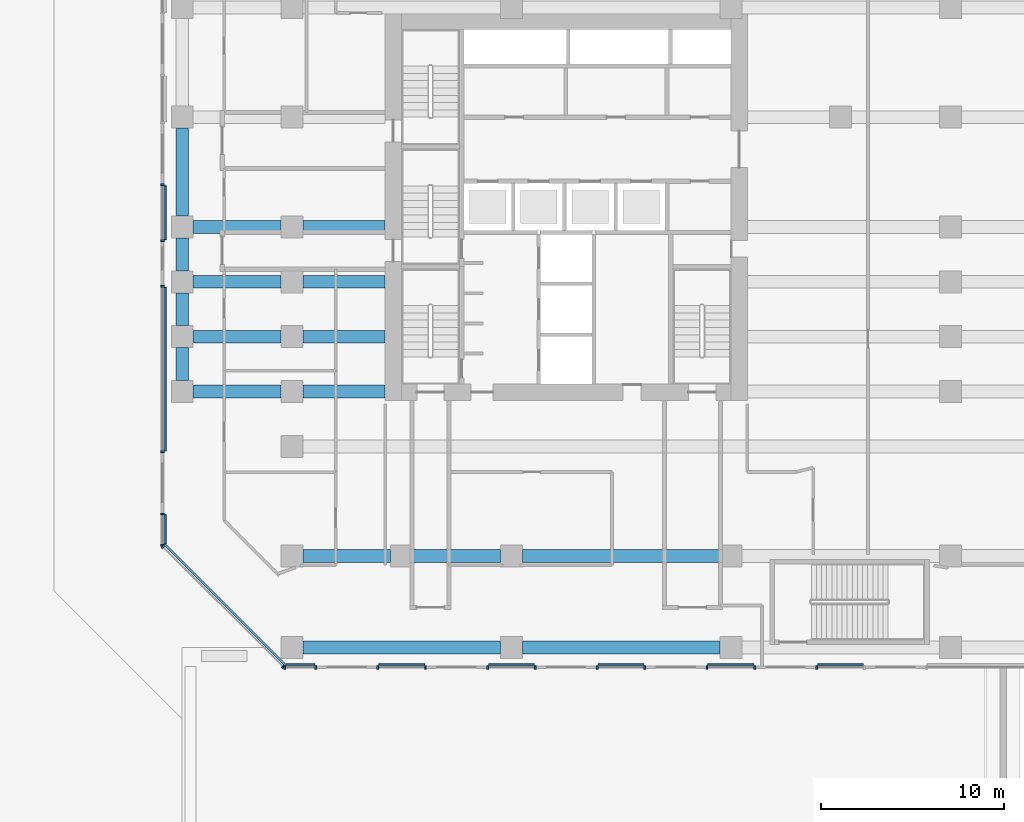
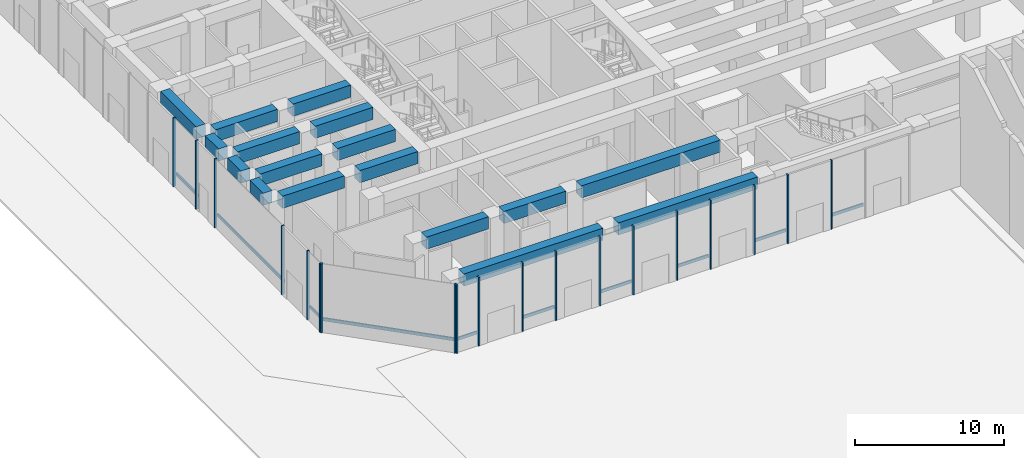
# One storey, part 2 of 32: 29 members, 17 beams, 10 elements without a shape of their own.
"""IFC4 building model written with IfcOpenShell, lengths in metres."""

from ifc_helpers import new_model, si_unit, direction, frame, origin, origin_2d, place, context, subcontext, project, spatial, rectangle, extrude, material, layer, layer_set, material_profile, profile_set, type_object, element, aggregate, save


model = new_model("IFC4")

# Units and contexts
model_context = context("Model", 3, precision=1e-05, world=origin(), true_north=direction((0.0, 1.0)))
body_context = subcontext(model_context, "Body", "Model", "MODEL_VIEW")
ifc_project = project(units=[si_unit("LENGTHUNIT", "METRE"), si_unit("AREAUNIT", "SQUARE_METRE"), si_unit("VOLUMEUNIT", "CUBIC_METRE"), si_unit("PLANEANGLEUNIT", "RADIAN"), si_unit("MASSUNIT", "GRAM", prefix="KILO")], contexts=[model_context])

# Site, building, storey
site_placement = place(None, origin())
site = spatial("IfcSite", under=ifc_project, at=site_placement, CompositionType="ELEMENT")
building_placement = place(site_placement, origin())
building = spatial("IfcBuilding", under=site, at=building_placement, Name="Welwitschia Terrace Campus", CompositionType="ELEMENT")
storey_placement = place(building_placement, origin())
storey = spatial("IfcBuildingStorey", under=building, at=storey_placement, Name="L00", CompositionType="ELEMENT", Elevation=0.0)

# Beams
ifc_material_1 = material(Name="Concrete C60/75", Category="concrete")
ifc_material_profile_1 = material_profile(ifc_material_1, rectangle(XDim=0.699951171875, YDim=1.0, at=origin_2d()))
ifc_profile_set_1 = profile_set([ifc_material_profile_1], Name="Concrete C60/75")
beam_type = type_object("IfcBeamType", Name="Base block beam 700x1000", PredefinedType="BEAM", material=ifc_profile_set_1)
for number, where, z_axis, x_axis, name in (
    (1, (0.6005859375, -9.0, 5.14990234375), (1.0, 0.0, 0.0), (0.0, 1.0, 0.0), "Beam BB1"),
    (2, (12.6005859375, -9.0, 5.14990234375), (1.0, 0.0, 0.0), (0.0, 1.0, 0.0), "Beam BB1"),
):
    element("IfcBeam", number, at=place(storey_placement, frame(where, z_axis=z_axis, x_axis=x_axis)), inside=storey, type_object=beam_type, Name=name, PredefinedType="BEAM", context=body_context, shape_type="SweptSolid", body=[
        extrude(rectangle(XDim=0.699951171875, YDim=1.0, at=origin_2d()), origin(), (0.0, 0.0, 1.0), 10.798828125),
    ])
for number, where, z_axis, x_axis, name in (
    (3, (0.6005859375, -4.0, 5.14990234375), (1.0, 0.0, 0.0), (0.0, 1.0, 0.0), "Beam BB1"),
    (4, (6.6005859375, -4.0, 5.14990234375), (1.0, 0.0, 0.0), (0.0, 1.0, 0.0), "Beam BB1"),
):
    element("IfcBeam", number, at=place(storey_placement, frame(where, z_axis=z_axis, x_axis=x_axis)), inside=storey, type_object=beam_type, Name=name, PredefinedType="BEAM", context=body_context, shape_type="SweptSolid", body=[
        extrude(rectangle(XDim=0.699951171875, YDim=1.0, at=origin_2d()), origin(), (0.0, 0.0, 1.0), 4.798828125),
    ])
beam_1_placement = place(storey_placement, frame((12.6005859375, -4.0, 5.14990234375), z_axis=(1.0, 0.0, 0.0), x_axis=(0.0, 1.0, 0.0)))
element("IfcBeam", 5, at=beam_1_placement, inside=storey, type_object=beam_type, Name="Beam BB1", PredefinedType="BEAM", context=body_context, shape_type="SweptSolid", body=[
    extrude(rectangle(XDim=0.699951171875, YDim=1.0, at=origin_2d()), origin(), (0.0, 0.0, 1.0), 10.798828125),
])
beam_2_placement = place(storey_placement, frame((-5.3994140625, 5.0, 5.14990234375), z_axis=(1.0, 0.0, 0.0), x_axis=(0.0, 1.0, 0.0)))
element("IfcBeam", 6, at=beam_2_placement, inside=storey, type_object=beam_type, Name="Beam BB1", PredefinedType="BEAM", context=body_context, shape_type="SweptSolid", body=[
    extrude(rectangle(XDim=0.699951171875, YDim=1.0, at=origin_2d()), origin(), (0.0, 0.0, 1.0), 4.798828125),
])
beam_3_placement = place(storey_placement, frame((0.6005859375, 5.0, 5.14990234375), z_axis=(1.0, 0.0, 0.0), x_axis=(0.0, 1.0, 0.0)))
element("IfcBeam", 7, at=beam_3_placement, inside=storey, type_object=beam_type, Name="Beam BB1", PredefinedType="BEAM", context=body_context, shape_type="SweptSolid", body=[
    extrude(rectangle(XDim=0.699951171875, YDim=1.0, at=origin_2d()), origin(), (0.0, 0.0, 1.0), 4.49951171875),
])
beam_4_placement = place(storey_placement, frame((-5.3994140625, 8.0, 5.14990234375), z_axis=(1.0, 0.0, 0.0), x_axis=(0.0, 1.0, 0.0)))
element("IfcBeam", 8, at=beam_4_placement, inside=storey, type_object=beam_type, Name="Beam BB1", PredefinedType="BEAM", context=body_context, shape_type="SweptSolid", body=[
    extrude(rectangle(XDim=0.699951171875, YDim=1.0, at=origin_2d()), origin(), (0.0, 0.0, 1.0), 4.798828125),
])
beam_5_placement = place(storey_placement, frame((0.6005859375, 8.0, 5.14990234375), z_axis=(1.0, 0.0, 0.0), x_axis=(0.0, 1.0, 0.0)))
element("IfcBeam", 9, at=beam_5_placement, inside=storey, type_object=beam_type, Name="Beam BB1", PredefinedType="BEAM", context=body_context, shape_type="SweptSolid", body=[
    extrude(rectangle(XDim=0.699951171875, YDim=1.0, at=origin_2d()), origin(), (0.0, 0.0, 1.0), 4.49951171875),
])
beam_6_placement = place(storey_placement, frame((-5.3994140625, 11.0, 5.14990234375), z_axis=(1.0, 0.0, 0.0), x_axis=(0.0, 1.0, 0.0)))
element("IfcBeam", 10, at=beam_6_placement, inside=storey, type_object=beam_type, Name="Beam BB1", PredefinedType="BEAM", context=body_context, shape_type="SweptSolid", body=[
    extrude(rectangle(XDim=0.699951171875, YDim=1.0, at=origin_2d()), origin(), (0.0, 0.0, 1.0), 4.798828125),
])
beam_7_placement = place(storey_placement, frame((0.6005859375, 11.0, 5.14990234375), z_axis=(1.0, 0.0, 0.0), x_axis=(0.0, 1.0, 0.0)))
element("IfcBeam", 11, at=beam_7_placement, inside=storey, type_object=beam_type, Name="Beam BB1", PredefinedType="BEAM", context=body_context, shape_type="SweptSolid", body=[
    extrude(rectangle(XDim=0.699951171875, YDim=1.0, at=origin_2d()), origin(), (0.0, 0.0, 1.0), 4.49951171875),
])
beam_8_placement = place(storey_placement, frame((-5.3994140625, 14.0, 5.14990234375), z_axis=(1.0, 0.0, 0.0), x_axis=(0.0, 1.0, 0.0)))
element("IfcBeam", 12, at=beam_8_placement, inside=storey, type_object=beam_type, Name="Beam BB1", PredefinedType="BEAM", context=body_context, shape_type="SweptSolid", body=[
    extrude(rectangle(XDim=0.699951171875, YDim=1.0, at=origin_2d()), origin(), (0.0, 0.0, 1.0), 4.798828125),
])
beam_9_placement = place(storey_placement, frame((0.6005859375, 14.0, 5.14990234375), z_axis=(1.0, 0.0, 0.0), x_axis=(0.0, 1.0, 0.0)))
element("IfcBeam", 13, at=beam_9_placement, inside=storey, type_object=beam_type, Name="Beam BB1", PredefinedType="BEAM", context=body_context, shape_type="SweptSolid", body=[
    extrude(rectangle(XDim=0.699951171875, YDim=1.0, at=origin_2d()), origin(), (0.0, 0.0, 1.0), 4.49951171875),
])
for number, where, z_axis, x_axis, name in (
    (14, (-6.0, 5.6005859375, 5.14990234375), (0.0, 1.0, 0.0), (-1.0, 0.0, 0.0), "Beam BB1"),
    (15, (-6.0, 8.6005859375, 5.14990234375), (0.0, 1.0, 0.0), (-1.0, 0.0, 0.0), "Beam BB1"),
    (16, (-6.0, 11.6005859375, 5.14990234375), (0.0, 1.0, 0.0), (-1.0, 0.0, 0.0), "Beam BB1"),
):
    element("IfcBeam", number, at=place(storey_placement, frame(where, z_axis=z_axis, x_axis=x_axis)), inside=storey, type_object=beam_type, Name=name, PredefinedType="BEAM", context=body_context, shape_type="SweptSolid", body=[
        extrude(rectangle(XDim=0.699951171875, YDim=1.0, at=origin_2d()), origin(), (0.0, 0.0, 1.0), 1.798828125),
    ])
beam_10_placement = place(storey_placement, frame((-6.0, 14.6005859375, 5.14990234375), z_axis=(0.0, 1.0, 0.0), x_axis=(-1.0, 0.0, 0.0)))
element("IfcBeam", 17, at=beam_10_placement, inside=storey, type_object=beam_type, Name="Beam BB1", PredefinedType="BEAM", context=body_context, shape_type="SweptSolid", body=[
    extrude(rectangle(XDim=0.699951171875, YDim=1.0, at=origin_2d()), origin(), (0.0, 0.0, 1.0), 4.798828125),
])

# Curtain wall, members
ifc_material_2 = material(Name="Bronze anodised aluminium", Category="aluminium")
ifc_layer = layer(ifc_material_2, 0.199951171875)
ifc_layer_set = layer_set([ifc_layer], Name="Bronze anodised aluminium")
curtain_wall_type = type_object("IfcCurtainWallType", Name="Curtain wall CW4 arcade shopfront 7500", PredefinedType="NOTDEFINED", material=ifc_layer_set)
curtain_wall_1_placement = place(storey_placement, origin())
curtain_wall_1 = element("IfcCurtainWall", 18, at=curtain_wall_1_placement, inside=storey, type_object=curtain_wall_type, Name="CW L00.0.g0", PredefinedType="NOTDEFINED")
ifc_material_3 = material(Name="Bronze anodised aluminium", Category="aluminium")
ifc_material_profile_2 = material_profile(ifc_material_3, rectangle(XDim=0.199951171875, YDim=0.10009765625, at=origin_2d()))
ifc_profile_set_2 = profile_set([ifc_material_profile_2], Name="Bronze anodised aluminium")
member_type_1 = type_object("IfcMemberType", Name="Mullion 100x200", PredefinedType="MULLION", material=ifc_profile_set_2)
member_1_placement = place(storey_placement, frame((-0.3994140625, -10.0849609375, 0.0), z_axis=(0.0, 0.0, 1.0), x_axis=(0.0, 1.0, 0.0)))
member_1 = element("IfcMember", 19, at=member_1_placement, type_object=member_type_1, Name="Mullion L00.0.g0.0", PredefinedType="MULLION", context=body_context, shape_type="SweptSolid", body=[
    extrude(rectangle(XDim=0.199951171875, YDim=0.10009765625, at=origin_2d()), origin(), (0.0, 0.0, 1.0), 5.64990234375),
])
member_2_placement = place(storey_placement, frame((1.300048828125, -10.0849609375, 0.0), z_axis=(0.0, 0.0, 1.0), x_axis=(0.0, 1.0, 0.0)))
member_2 = element("IfcMember", 20, at=member_2_placement, type_object=member_type_1, Name="Mullion L00.0.g0.1", PredefinedType="MULLION", context=body_context, shape_type="SweptSolid", body=[
    extrude(rectangle(XDim=0.199951171875, YDim=0.10009765625, at=origin_2d()), origin(), (0.0, 0.0, 1.0), 5.64990234375),
])

curtain_wall_2_placement = place(storey_placement, origin())
curtain_wall_2 = element("IfcCurtainWall", 21, at=curtain_wall_2_placement, inside=storey, type_object=curtain_wall_type, Name="CW L00.0.g1", PredefinedType="NOTDEFINED")
member_3_placement = place(storey_placement, frame((4.699951171875, -10.0849609375, 0.0), z_axis=(0.0, 0.0, 1.0), x_axis=(0.0, 1.0, 0.0)))
member_3 = element("IfcMember", 22, at=member_3_placement, type_object=member_type_1, Name="Mullion L00.0.g1.0", PredefinedType="MULLION", context=body_context, shape_type="SweptSolid", body=[
    extrude(rectangle(XDim=0.199951171875, YDim=0.10009765625, at=origin_2d()), origin(), (0.0, 0.0, 1.0), 5.64990234375),
])
member_4_placement = place(storey_placement, frame((7.300048828125, -10.0849609375, 0.0), z_axis=(0.0, 0.0, 1.0), x_axis=(0.0, 1.0, 0.0)))
member_4 = element("IfcMember", 23, at=member_4_placement, type_object=member_type_1, Name="Mullion L00.0.g1.1", PredefinedType="MULLION", context=body_context, shape_type="SweptSolid", body=[
    extrude(rectangle(XDim=0.199951171875, YDim=0.10009765625, at=origin_2d()), origin(), (0.0, 0.0, 1.0), 5.64990234375),
])

curtain_wall_3_placement = place(storey_placement, origin())
curtain_wall_3 = element("IfcCurtainWall", 24, at=curtain_wall_3_placement, inside=storey, type_object=curtain_wall_type, Name="CW L00.0.g2", PredefinedType="NOTDEFINED")
member_5_placement = place(storey_placement, frame((10.699951171875, -10.0849609375, 0.0), z_axis=(0.0, 0.0, 1.0), x_axis=(0.0, 1.0, 0.0)))
member_5 = element("IfcMember", 25, at=member_5_placement, type_object=member_type_1, Name="Mullion L00.0.g2.0", PredefinedType="MULLION", context=body_context, shape_type="SweptSolid", body=[
    extrude(rectangle(XDim=0.199951171875, YDim=0.10009765625, at=origin_2d()), origin(), (0.0, 0.0, 1.0), 5.64990234375),
])
member_6_placement = place(storey_placement, frame((13.300048828125, -10.0849609375, 0.0), z_axis=(0.0, 0.0, 1.0), x_axis=(0.0, 1.0, 0.0)))
member_6 = element("IfcMember", 26, at=member_6_placement, type_object=member_type_1, Name="Mullion L00.0.g2.1", PredefinedType="MULLION", context=body_context, shape_type="SweptSolid", body=[
    extrude(rectangle(XDim=0.199951171875, YDim=0.10009765625, at=origin_2d()), origin(), (0.0, 0.0, 1.0), 5.64990234375),
])

curtain_wall_4_placement = place(storey_placement, origin())
curtain_wall_4 = element("IfcCurtainWall", 27, at=curtain_wall_4_placement, inside=storey, type_object=curtain_wall_type, Name="CW L00.0.g3", PredefinedType="NOTDEFINED")
member_7_placement = place(storey_placement, frame((16.699951171875, -10.0849609375, 0.0), z_axis=(0.0, 0.0, 1.0), x_axis=(0.0, 1.0, 0.0)))
member_7 = element("IfcMember", 28, at=member_7_placement, type_object=member_type_1, Name="Mullion L00.0.g3.0", PredefinedType="MULLION", context=body_context, shape_type="SweptSolid", body=[
    extrude(rectangle(XDim=0.199951171875, YDim=0.10009765625, at=origin_2d()), origin(), (0.0, 0.0, 1.0), 5.64990234375),
])
member_8_placement = place(storey_placement, frame((19.300048828125, -10.0849609375, 0.0), z_axis=(0.0, 0.0, 1.0), x_axis=(0.0, 1.0, 0.0)))
member_8 = element("IfcMember", 29, at=member_8_placement, type_object=member_type_1, Name="Mullion L00.0.g3.1", PredefinedType="MULLION", context=body_context, shape_type="SweptSolid", body=[
    extrude(rectangle(XDim=0.199951171875, YDim=0.10009765625, at=origin_2d()), origin(), (0.0, 0.0, 1.0), 5.64990234375),
])

curtain_wall_5_placement = place(storey_placement, origin())
curtain_wall_5 = element("IfcCurtainWall", 30, at=curtain_wall_5_placement, inside=storey, type_object=curtain_wall_type, Name="CW L00.0.g4", PredefinedType="NOTDEFINED")
member_9_placement = place(storey_placement, frame((22.699951171875, -10.0849609375, 0.0), z_axis=(0.0, 0.0, 1.0), x_axis=(0.0, 1.0, 0.0)))
member_9 = element("IfcMember", 31, at=member_9_placement, type_object=member_type_1, Name="Mullion L00.0.g4.0", PredefinedType="MULLION", context=body_context, shape_type="SweptSolid", body=[
    extrude(rectangle(XDim=0.199951171875, YDim=0.10009765625, at=origin_2d()), origin(), (0.0, 0.0, 1.0), 5.64990234375),
])
member_10_placement = place(storey_placement, frame((25.300048828125, -10.0849609375, 0.0), z_axis=(0.0, 0.0, 1.0), x_axis=(0.0, 1.0, 0.0)))
member_10 = element("IfcMember", 32, at=member_10_placement, type_object=member_type_1, Name="Mullion L00.0.g4.1", PredefinedType="MULLION", context=body_context, shape_type="SweptSolid", body=[
    extrude(rectangle(XDim=0.199951171875, YDim=0.10009765625, at=origin_2d()), origin(), (0.0, 0.0, 1.0), 5.64990234375),
])

# Curtain wall, member
curtain_wall_6_placement = place(storey_placement, origin())
curtain_wall_6 = element("IfcCurtainWall", 33, at=curtain_wall_6_placement, inside=storey, type_object=curtain_wall_type, Name="CW L00.0.g5", PredefinedType="NOTDEFINED")
member_11_placement = place(storey_placement, frame((28.699951171875, -10.0849609375, 0.0), z_axis=(0.0, 0.0, 1.0), x_axis=(0.0, 1.0, 0.0)))
member_11 = element("IfcMember", 34, at=member_11_placement, type_object=member_type_1, Name="Mullion L00.0.g5.0", PredefinedType="MULLION", context=body_context, shape_type="SweptSolid", body=[
    extrude(rectangle(XDim=0.199951171875, YDim=0.10009765625, at=origin_2d()), origin(), (0.0, 0.0, 1.0), 5.64990234375),
])

# Curtain wall, members
curtain_wall_7_placement = place(storey_placement, origin())
curtain_wall_7 = element("IfcCurtainWall", 35, at=curtain_wall_7_placement, inside=storey, type_object=curtain_wall_type, Name="CW L00.6.g8", PredefinedType="NOTDEFINED")
member_12_placement = place(storey_placement, frame((-7.0849609375, 16.300048828125, 0.0), z_axis=(0.0, 0.0, 1.0), x_axis=(1.0, 0.0, 0.0)))
member_12 = element("IfcMember", 36, at=member_12_placement, type_object=member_type_1, Name="Mullion L00.6.g8.0", PredefinedType="MULLION", context=body_context, shape_type="SweptSolid", body=[
    extrude(rectangle(XDim=0.199951171875, YDim=0.10009765625, at=origin_2d()), origin(), (0.0, 0.0, 1.0), 5.64990234375),
])
member_13_placement = place(storey_placement, frame((-7.0849609375, 13.25, 0.0), z_axis=(0.0, 0.0, 1.0), x_axis=(1.0, 0.0, 0.0)))
member_13 = element("IfcMember", 37, at=member_13_placement, type_object=member_type_1, Name="Mullion L00.6.g8.1", PredefinedType="MULLION", context=body_context, shape_type="SweptSolid", body=[
    extrude(rectangle(XDim=0.199951171875, YDim=0.10009765625, at=origin_2d()), origin(), (0.0, 0.0, 1.0), 5.64990234375),
])

curtain_wall_8_placement = place(storey_placement, origin())
curtain_wall_8 = element("IfcCurtainWall", 38, at=curtain_wall_8_placement, inside=storey, type_object=curtain_wall_type, Name="CW L00.6.g9", PredefinedType="NOTDEFINED")
member_14_placement = place(storey_placement, frame((-7.0849609375, 10.75, 0.0), z_axis=(0.0, 0.0, 1.0), x_axis=(1.0, 0.0, 0.0)))
member_14 = element("IfcMember", 39, at=member_14_placement, type_object=member_type_1, Name="Mullion L00.6.g9.0", PredefinedType="MULLION", context=body_context, shape_type="SweptSolid", body=[
    extrude(rectangle(XDim=0.199951171875, YDim=0.10009765625, at=origin_2d()), origin(), (0.0, 0.0, 1.0), 5.64990234375),
])
member_15_placement = place(storey_placement, frame((-7.0849609375, 1.699951171875, 0.0), z_axis=(0.0, 0.0, 1.0), x_axis=(1.0, 0.0, 0.0)))
member_15 = element("IfcMember", 40, at=member_15_placement, type_object=member_type_1, Name="Mullion L00.6.g9.1", PredefinedType="MULLION", context=body_context, shape_type="SweptSolid", body=[
    extrude(rectangle(XDim=0.199951171875, YDim=0.10009765625, at=origin_2d()), origin(), (0.0, 0.0, 1.0), 5.64990234375),
])

curtain_wall_9_placement = place(storey_placement, origin())
curtain_wall_9 = element("IfcCurtainWall", 41, at=curtain_wall_9_placement, inside=storey, type_object=curtain_wall_type, Name="CW L00.6.g10", PredefinedType="NOTDEFINED")
member_16_placement = place(storey_placement, frame((-7.0849609375, -1.699951171875, 0.0), z_axis=(0.0, 0.0, 1.0), x_axis=(1.0, 0.0, 0.0)))
member_16 = element("IfcMember", 42, at=member_16_placement, type_object=member_type_1, Name="Mullion L00.6.g10.0", PredefinedType="MULLION", context=body_context, shape_type="SweptSolid", body=[
    extrude(rectangle(XDim=0.199951171875, YDim=0.10009765625, at=origin_2d()), origin(), (0.0, 0.0, 1.0), 5.64990234375),
])
member_17_placement = place(storey_placement, frame((-7.0849609375, -3.3994140625, 0.0), z_axis=(0.0, 0.0, 1.0), x_axis=(1.0, 0.0, 0.0)))
member_17 = element("IfcMember", 43, at=member_17_placement, type_object=member_type_1, Name="Mullion L00.6.g10.1", PredefinedType="MULLION", context=body_context, shape_type="SweptSolid", body=[
    extrude(rectangle(XDim=0.199951171875, YDim=0.10009765625, at=origin_2d()), origin(), (0.0, 0.0, 1.0), 5.64990234375),
])

curtain_wall_10_placement = place(storey_placement, origin())
curtain_wall_10 = element("IfcCurtainWall", 44, at=curtain_wall_10_placement, inside=storey, type_object=curtain_wall_type, Name="CW L00.7.g0", PredefinedType="NOTDEFINED")
member_18_placement = place(storey_placement, frame((-7.049560546875, -3.48486328125, 0.0), z_axis=(0.0, 0.0, 1.0), x_axis=(0.707106781187, 0.707106781187, 0.0)))
member_18 = element("IfcMember", 45, at=member_18_placement, type_object=member_type_1, Name="Mullion L00.7.g0.0", PredefinedType="MULLION", context=body_context, shape_type="SweptSolid", body=[
    extrude(rectangle(XDim=0.199951171875, YDim=0.10009765625, at=origin_2d()), origin(), (0.0, 0.0, 1.0), 5.64990234375),
])
member_19_placement = place(storey_placement, frame((-0.48486328125, -10.049560546875, 0.0), z_axis=(0.0, 0.0, 1.0), x_axis=(0.707106781187, 0.707106781187, 0.0)))
member_19 = element("IfcMember", 46, at=member_19_placement, type_object=member_type_1, Name="Mullion L00.7.g0.1", PredefinedType="MULLION", context=body_context, shape_type="SweptSolid", body=[
    extrude(rectangle(XDim=0.199951171875, YDim=0.10009765625, at=origin_2d()), origin(), (0.0, 0.0, 1.0), 5.64990234375),
])

# Member
ifc_material_4 = material(Name="Bronze anodised aluminium", Category="aluminium")
ifc_material_profile_3 = material_profile(ifc_material_4, rectangle(XDim=0.10009765625, YDim=0.25, at=origin_2d()))
ifc_profile_set_3 = profile_set([ifc_material_profile_3], Name="Bronze anodised aluminium")
member_type_2 = type_object("IfcMemberType", Name="Transom 100x250", PredefinedType="USERDEFINED", material=ifc_profile_set_3)
member_20_placement = place(storey_placement, frame((-0.349365234375, -9.93505859375, 1.0), z_axis=(1.0, 0.0, 0.0), x_axis=(0.0, 1.0, 0.0)))
member_20 = element("IfcMember", 47, at=member_20_placement, type_object=member_type_2, Name="Transom L00.0.g0", ObjectType="TRANSOM", PredefinedType="USERDEFINED", context=body_context, shape_type="SweptSolid", body=[
    extrude(rectangle(XDim=0.10009765625, YDim=0.25, at=origin_2d()), origin(), (0.0, 0.0, 1.0), 1.599365234375),
])

aggregate(curtain_wall_1, [member_1, member_2, member_20])

member_21_placement = place(storey_placement, frame((4.75, -9.93505859375, 1.0), z_axis=(1.0, 0.0, 0.0), x_axis=(0.0, 1.0, 0.0)))
member_21 = element("IfcMember", 48, at=member_21_placement, type_object=member_type_2, Name="Transom L00.0.g1", ObjectType="TRANSOM", PredefinedType="USERDEFINED", context=body_context, shape_type="SweptSolid", body=[
    extrude(rectangle(XDim=0.10009765625, YDim=0.25, at=origin_2d()), origin(), (0.0, 0.0, 1.0), 2.5),
])

aggregate(curtain_wall_2, [member_3, member_4, member_21])

member_22_placement = place(storey_placement, frame((10.75, -9.93505859375, 1.0), z_axis=(1.0, 0.0, 0.0), x_axis=(0.0, 1.0, 0.0)))
member_22 = element("IfcMember", 49, at=member_22_placement, type_object=member_type_2, Name="Transom L00.0.g2", ObjectType="TRANSOM", PredefinedType="USERDEFINED", context=body_context, shape_type="SweptSolid", body=[
    extrude(rectangle(XDim=0.10009765625, YDim=0.25, at=origin_2d()), origin(), (0.0, 0.0, 1.0), 2.5),
])

aggregate(curtain_wall_3, [member_5, member_6, member_22])

member_23_placement = place(storey_placement, frame((16.75, -9.93505859375, 1.0), z_axis=(1.0, 0.0, 0.0), x_axis=(0.0, 1.0, 0.0)))
member_23 = element("IfcMember", 50, at=member_23_placement, type_object=member_type_2, Name="Transom L00.0.g3", ObjectType="TRANSOM", PredefinedType="USERDEFINED", context=body_context, shape_type="SweptSolid", body=[
    extrude(rectangle(XDim=0.10009765625, YDim=0.25, at=origin_2d()), origin(), (0.0, 0.0, 1.0), 2.5),
])

aggregate(curtain_wall_4, [member_7, member_8, member_23])

member_24_placement = place(storey_placement, frame((22.75, -9.93505859375, 1.0), z_axis=(1.0, 0.0, 0.0), x_axis=(0.0, 1.0, 0.0)))
member_24 = element("IfcMember", 51, at=member_24_placement, type_object=member_type_2, Name="Transom L00.0.g4", ObjectType="TRANSOM", PredefinedType="USERDEFINED", context=body_context, shape_type="SweptSolid", body=[
    extrude(rectangle(XDim=0.10009765625, YDim=0.25, at=origin_2d()), origin(), (0.0, 0.0, 1.0), 2.5),
])

aggregate(curtain_wall_5, [member_9, member_10, member_24])

member_25_placement = place(storey_placement, frame((28.75, -9.93505859375, 1.0), z_axis=(1.0, 0.0, 0.0), x_axis=(0.0, 1.0, 0.0)))
member_25 = element("IfcMember", 52, at=member_25_placement, type_object=member_type_2, Name="Transom L00.0.g5", ObjectType="TRANSOM", PredefinedType="USERDEFINED", context=body_context, shape_type="SweptSolid", body=[
    extrude(rectangle(XDim=0.10009765625, YDim=0.25, at=origin_2d()), origin(), (0.0, 0.0, 1.0), 2.5),
])

aggregate(curtain_wall_6, [member_11, member_25])

member_26_placement = place(storey_placement, frame((-6.93505859375, 16.25, 1.0), z_axis=(0.0, -1.0, 0.0), x_axis=(1.0, 0.0, 0.0)))
member_26 = element("IfcMember", 53, at=member_26_placement, type_object=member_type_2, Name="Transom L00.6.g8", ObjectType="TRANSOM", PredefinedType="USERDEFINED", context=body_context, shape_type="SweptSolid", body=[
    extrude(rectangle(XDim=0.10009765625, YDim=0.25, at=origin_2d()), origin(), (0.0, 0.0, 1.0), 2.949951171875),
])

aggregate(curtain_wall_7, [member_12, member_13, member_26])

member_27_placement = place(storey_placement, frame((-6.93505859375, 10.699951171875, 1.0), z_axis=(0.0, -1.0, 0.0), x_axis=(1.0, 0.0, 0.0)))
member_27 = element("IfcMember", 54, at=member_27_placement, type_object=member_type_2, Name="Transom L00.6.g9", ObjectType="TRANSOM", PredefinedType="USERDEFINED", context=body_context, shape_type="SweptSolid", body=[
    extrude(rectangle(XDim=0.10009765625, YDim=0.25, at=origin_2d()), origin(), (0.0, 0.0, 1.0), 8.949951171875),
])

aggregate(curtain_wall_8, [member_14, member_15, member_27])

member_28_placement = place(storey_placement, frame((-6.93505859375, -1.75, 1.0), z_axis=(0.0, -1.0, 0.0), x_axis=(1.0, 0.0, 0.0)))
member_28 = element("IfcMember", 55, at=member_28_placement, type_object=member_type_2, Name="Transom L00.6.g10", ObjectType="TRANSOM", PredefinedType="USERDEFINED", context=body_context, shape_type="SweptSolid", body=[
    extrude(rectangle(XDim=0.10009765625, YDim=0.25, at=origin_2d()), origin(), (0.0, 0.0, 1.0), 1.599365234375),
])

aggregate(curtain_wall_9, [member_16, member_17, member_28])

member_29_placement = place(storey_placement, frame((-6.908203125, -3.4140625, 1.0), z_axis=(0.707106781187, -0.707106781187, 0.0), x_axis=(0.707106781187, 0.707106781187, 0.0)))
member_29 = element("IfcMember", 56, at=member_29_placement, type_object=member_type_2, Name="Transom L00.7.g0", ObjectType="TRANSOM", PredefinedType="USERDEFINED", context=body_context, shape_type="SweptSolid", body=[
    extrude(rectangle(XDim=0.10009765625, YDim=0.25, at=origin_2d()), origin(), (0.0, 0.0, 1.0), 9.18408203125),
])

aggregate(curtain_wall_10, [member_18, member_19, member_29])

save(model, "model.ifc")
